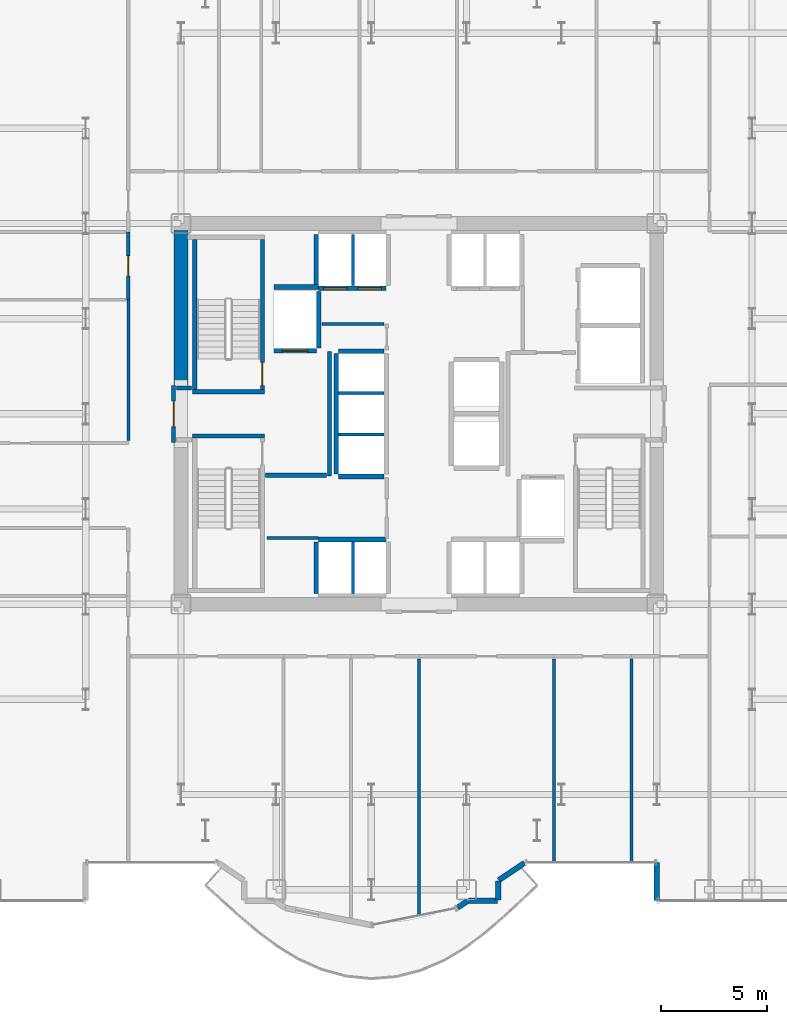
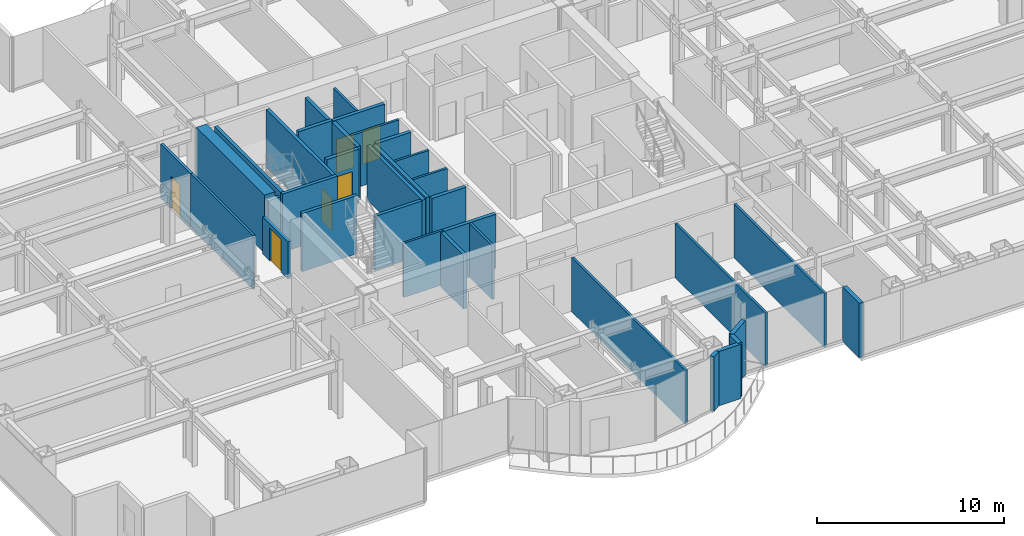
# One storey, part 23 of 29: 35 walls, 6 doors, 6 openings.
"""IFC4 building model written with IfcOpenShell, lengths in metres."""

from ifc_helpers import new_model, si_unit, direction, frame, frame_2d, origin, place, context, subcontext, project, spatial, rectangle, extrude, source, transform, mapped, material, layer, layer_set, type_object, element, fill, save


model = new_model("IFC4")

# Units and contexts
model_context = context("Model", 3, precision=1e-05, world=origin(), true_north=direction((0.0, 1.0)))
body_context = subcontext(model_context, "Body", "Model", "MODEL_VIEW")
ifc_project = project(units=[si_unit("LENGTHUNIT", "METRE"), si_unit("AREAUNIT", "SQUARE_METRE"), si_unit("VOLUMEUNIT", "CUBIC_METRE"), si_unit("PLANEANGLEUNIT", "RADIAN"), si_unit("MASSUNIT", "GRAM", prefix="KILO")], contexts=[model_context])

# Site, building, storey
site_placement = place(None, origin())
site = spatial("IfcSite", under=ifc_project, at=site_placement, CompositionType="ELEMENT")
building_placement = place(site_placement, origin())
building = spatial("IfcBuilding", under=site, at=building_placement, Name="Nefas-Gora Pilgrimage Tower", CompositionType="ELEMENT")
storey_placement = place(building_placement, frame((0.0, 0.0, 67.199951171875)))
storey = spatial("IfcBuildingStorey", under=building, at=storey_placement, Name="L15", CompositionType="ELEMENT", Elevation=67.199951171875)

# Walls
ifc_material_1 = material(Name="Concrete C60/75", Category="concrete")
ifc_layer_1 = layer(ifc_material_1, 0.64990234375)
ifc_layer_set_1 = layer_set([ifc_layer_1], Name="Concrete C60/75")
wall_type_1 = type_object("IfcWallType", Name="SW-CORE-650", PredefinedType="SHEAR", material=ifc_layer_set_1)
shared_shape_1 = source(origin(), body_context, "Body", "SweptSolid", [
    extrude(rectangle(XDim=7.324951171875, YDim=0.64990234375, at=frame_2d((3.66259765625, 0.0))), origin(), (0.0, 0.0, 1.0), 3.800048828125),
])
wall_1_placement = place(storey_placement, frame((-11.25, 1.35009765625, 0.0), z_axis=(0.0, 0.0, 1.0), x_axis=(0.0, 1.0, 0.0)))
element("IfcWall", 1, at=wall_1_placement, inside=storey, type_object=wall_type_1, Name="L15 Core Shear Wall W-North", PredefinedType="SHEAR", context=body_context, shape_type="MappedRepresentation", body=[
    mapped(shared_shape_1, transform((0.0, 0.0, 0.0), x_axis=(1.0, 0.0, 0.0), y_axis=(0.0, 1.0, 0.0), z_axis=(0.0, 0.0, 1.0), scale=1.0)),
])
ifc_material_2 = material(Name="Precast concrete C40/50", Category="concrete")
ifc_layer_2 = layer(ifc_material_2, 0.260009765625)
ifc_layer_set_2 = layer_set([ifc_layer_2], Name="Precast concrete C40/50")
wall_type_2 = type_object("IfcWallType", Name="EW-PORTAL-260", PredefinedType="SOLIDWALL", material=ifc_layer_set_2)
shared_shape_2 = source(origin(), body_context, "Body", "SweptSolid", [
    extrude(rectangle(XDim=1.800048828125, YDim=0.260009765625, at=frame_2d((0.89990234375, 0.0))), origin(), (0.0, 0.0, 1.0), 3.550048828125),
])
wall_2_placement = place(storey_placement, frame((11.25, -21.219970703125, 0.0), z_axis=(0.0, 0.0, 1.0), x_axis=(0.0, -1.0, 0.0)))
element("IfcWall", 2, at=wall_2_placement, inside=storey, type_object=wall_type_2, Name="L15 Lobe Shoulder Precast Spandrel Pier 5", PredefinedType="SOLIDWALL", context=body_context, shape_type="MappedRepresentation", body=[
    mapped(shared_shape_2, transform((0.0, 0.0, 0.0), x_axis=(1.0, 0.0, 0.0), y_axis=(0.0, 1.0, 0.0), z_axis=(0.0, 0.0, 1.0), scale=1.0)),
])
shared_shape_3 = source(origin(), body_context, "Body", "SweptSolid", [
    extrude(rectangle(XDim=1.468994140625, YDim=0.260009765625, at=frame_2d((0.734375, 0.0))), origin(), (0.0, 0.0, 1.0), 3.550048828125),
])
wall_3_placement = place(storey_placement, frame((3.773193359375, -22.0517578125, 0.0), z_axis=(0.0, 0.0, 1.0), x_axis=(0.831461760506, 0.555581983884, 0.0)))
element("IfcWall", 3, at=wall_3_placement, inside=storey, type_object=wall_type_2, Name="L15 Lobe Shoulder Precast Spandrel Pier 41", PredefinedType="SOLIDWALL", context=body_context, shape_type="MappedRepresentation", body=[
    mapped(shared_shape_3, transform((0.0, 0.0, 0.0), x_axis=(1.0, 0.0, 0.0), y_axis=(0.0, 1.0, 0.0), z_axis=(0.0, 0.0, 1.0), scale=1.0)),
])
shared_shape_4 = source(origin(), body_context, "Body", "SweptSolid", [
    extrude(rectangle(XDim=0.896728515625, YDim=0.260009765625, at=frame_2d((0.4482421875, 0.0))), origin(), (0.0, 0.0, 1.0), 3.550048828125),
])
wall_4_placement = place(storey_placement, frame((3.75, -22.991943359375, 0.0), z_axis=(0.0, 0.0, 1.0), x_axis=(0.0, 1.0, 0.0)))
element("IfcWall", 4, at=wall_4_placement, inside=storey, type_object=wall_type_2, Name="L15 Lobe Shoulder Precast Spandrel Pier 40", PredefinedType="SOLIDWALL", context=body_context, shape_type="MappedRepresentation", body=[
    mapped(shared_shape_4, transform((0.0, 0.0, 0.0), x_axis=(1.0, 0.0, 0.0), y_axis=(0.0, 1.0, 0.0), z_axis=(0.0, 0.0, 1.0), scale=1.0)),
])
shared_shape_5 = source(origin(), body_context, "Body", "SweptSolid", [
    extrude(rectangle(XDim=1.369873046875, YDim=0.260009765625, at=frame_2d((0.68505859375, 0.0))), origin(), (0.0, 0.0, 1.0), 3.550048828125),
])
wall_5_placement = place(storey_placement, frame((2.35205078125, -23.02001953125, 0.0), z_axis=(0.0, 0.0, 1.0), x_axis=(1.0, 0.0, 0.0)))
element("IfcWall", 5, at=wall_5_placement, inside=storey, type_object=wall_type_2, Name="L15 Lobe Shoulder Precast Spandrel Pier 39", PredefinedType="SOLIDWALL", context=body_context, shape_type="MappedRepresentation", body=[
    mapped(shared_shape_5, transform((0.0, 0.0, 0.0), x_axis=(1.0, 0.0, 0.0), y_axis=(0.0, 1.0, 0.0), z_axis=(0.0, 0.0, 1.0), scale=1.0)),
])
shared_shape_6 = source(origin(), body_context, "Body", "SweptSolid", [
    extrude(rectangle(XDim=0.5654296875, YDim=0.260009765625, at=frame_2d((0.28271484375, 0.0))), origin(), (0.0, 0.0, 1.0), 3.550048828125),
])
wall_6_placement = place(storey_placement, frame((1.83056640625, -23.349609375, 0.0), z_axis=(0.0, 0.0, 1.0), x_axis=(0.831651492666, 0.555297933317, 0.0)))
element("IfcWall", 6, at=wall_6_placement, inside=storey, type_object=wall_type_2, Name="L15 Lobe Shoulder Precast Spandrel Pier 38", PredefinedType="SOLIDWALL", context=body_context, shape_type="MappedRepresentation", body=[
    mapped(shared_shape_6, transform((0.0, 0.0, 0.0), x_axis=(1.0, 0.0, 0.0), y_axis=(0.0, 1.0, 0.0), z_axis=(0.0, 0.0, 1.0), scale=1.0)),
])
ifc_material_3 = material(Name="Concrete C45/55", Category="concrete")
ifc_layer_3 = layer(ifc_material_3, 0.199951171875)
ifc_layer_set_3 = layer_set([ifc_layer_3], Name="Concrete C45/55")
wall_type_3 = type_object("IfcWallType", Name="IW-STAIR-200", PredefinedType="SOLIDWALL", material=ifc_layer_set_3)
shared_shape_7 = source(origin(), body_context, "Body", "SweptSolid", [
    extrude(rectangle(XDim=3.39990234375, YDim=0.199951171875, at=frame_2d((1.699951171875, 0.0))), origin(), (0.0, 0.0, 1.0), 3.800048828125),
])
for number, where, z_axis, x_axis, name in (
    (7, (-7.300048828125, 1.050048828125, 0.0), (0.0, 0.0, 1.0), (-1.0, 0.0, 0.0), "L15 Stairwell Shear Wall ST-01-near"),
    (8, (-10.699951171875, -1.050048828125, 0.0), (0.0, 0.0, 1.0), (1.0, 0.0, 0.0), "L15 Stairwell Shear Wall ST-03-near"),
):
    element("IfcWall", number, at=place(storey_placement, frame(where, z_axis=z_axis, x_axis=x_axis)), inside=storey, type_object=wall_type_3, Name=name, PredefinedType="SOLIDWALL", context=body_context, shape_type="MappedRepresentation", body=[
        mapped(shared_shape_7, transform((0.0, 0.0, 0.0), x_axis=(1.0, 0.0, 0.0), y_axis=(0.0, 1.0, 0.0), z_axis=(0.0, 0.0, 1.0), scale=1.0)),
    ])

# Wall, opening, door
shared_shape_8 = source(origin(), body_context, "Body", "SweptSolid", [
    extrude(rectangle(XDim=7.10009765625, YDim=0.199951171875, at=frame_2d((3.550048828125, 0.0))), origin(), (0.0, 0.0, 1.0), 3.800048828125),
])
wall_7_placement = place(storey_placement, frame((-7.39990234375, 1.14990234375, 0.0), z_axis=(0.0, 0.0, 1.0), x_axis=(0.0, 1.0, 0.0)))
wall_7 = element("IfcWall", 9, at=wall_7_placement, inside=storey, type_object=wall_type_3, Name="L15 Stairwell Shear Wall ST-01-left", PredefinedType="SOLIDWALL", context=body_context, shape_type="MappedRepresentation", body=[
    mapped(shared_shape_8, transform((0.0, 0.0, 0.0), x_axis=(1.0, 0.0, 0.0), y_axis=(0.0, 1.0, 0.0), z_axis=(0.0, 0.0, 1.0), scale=1.0)),
])
opening_1_placement = place(wall_7_placement, frame((0.179931640625, 0.0, 0.0)))
opening_1 = element("IfcOpeningElement", 10, at=opening_1_placement, cuts=wall_7, Name="Opening ID-ST1", PredefinedType="OPENING", context=body_context, shape_type="SweptSolid", body=[
    extrude(rectangle(XDim=1.10009765625, YDim=2.14990234375, at=frame_2d((0.550048828125, 1.074951171875))), frame((0.0, 0.10986328125, 0.0), z_axis=(0.0, -1.0, 0.0), x_axis=(1.0, 0.0, 0.0)), (0.0, 0.0, 1.0), 0.219970703125),
])
ifc_material_4 = material(Name="Painted galvanised steel fire stair door", Category="steel")
door_type_1 = type_object("IfcDoorType", Name="DR-INT-STAIR-1100", OperationType="NOTDEFINED", PredefinedType="DOOR", material=ifc_material_4)
shared_shape_9 = source(origin(), body_context, "Body", "SweptSolid", [
    extrude(rectangle(XDim=1.10009765625, YDim=2.14990234375, at=frame_2d((0.550048828125, 1.074951171875))), frame((0.0, 0.02490234375, 0.0), z_axis=(0.0, -1.0, 0.0), x_axis=(1.0, 0.0, 0.0)), (0.0, 0.0, 1.0), 0.050048828125),
])
door_1_placement = place(opening_1_placement, origin())
door_1 = element("IfcDoor", 11, at=door_1_placement, inside=storey, type_object=door_type_1, Name="L15 Protected Exit Stair Door ST-01", OperationType="SINGLE_SWING_LEFT", OverallHeight=2.14990234375, OverallWidth=1.10009765625, PredefinedType="DOOR", context=body_context, shape_type="MappedRepresentation", body=[
    mapped(shared_shape_9, transform((0.0, 0.0, 0.0), x_axis=(1.0, 0.0, 0.0), y_axis=(0.0, 1.0, 0.0), z_axis=(0.0, 0.0, 1.0), scale=1.0)),
])
fill(opening_1, door_1)

# Wall
wall_8_placement = place(storey_placement, frame((-10.60009765625, 1.14990234375, 0.0), z_axis=(0.0, 0.0, 1.0), x_axis=(0.0, 1.0, 0.0)))
element("IfcWall", 12, at=wall_8_placement, inside=storey, type_object=wall_type_3, Name="L15 Stairwell Shear Wall ST-01-right", PredefinedType="SOLIDWALL", context=body_context, shape_type="MappedRepresentation", body=[
    mapped(shared_shape_8, transform((0.0, 0.0, 0.0), x_axis=(1.0, 0.0, 0.0), y_axis=(0.0, 1.0, 0.0), z_axis=(0.0, 0.0, 1.0), scale=1.0)),
])

# Wall, opening, door
ifc_material_5 = material(Name="Concrete C40/50", Category="concrete")
ifc_layer_4 = layer(ifc_material_5, 0.219970703125)
ifc_layer_set_4 = layer_set([ifc_layer_4], Name="Concrete C40/50")
wall_type_4 = type_object("IfcWallType", Name="IW-SHAFT-220", PredefinedType="SOLIDWALL", material=ifc_layer_set_4)
shared_shape_10 = source(origin(), body_context, "Body", "SweptSolid", [
    extrude(rectangle(XDim=2.0, YDim=0.219970703125, at=frame_2d((1.0, 0.0))), origin(), (0.0, 0.0, 1.0), 3.53515625),
])
wall_9_placement = place(storey_placement, frame((-6.85009765625, 2.989990234375, 0.0), z_axis=(0.0, 0.0, 1.0), x_axis=(1.0, 0.0, 0.0)))
wall_9 = element("IfcWall", 13, at=wall_9_placement, inside=storey, type_object=wall_type_4, Name="L15 Hoistway Wall FFL-01-S", PredefinedType="SOLIDWALL", context=body_context, shape_type="MappedRepresentation", body=[
    mapped(shared_shape_10, transform((0.0, 0.0, 0.0), x_axis=(1.0, 0.0, 0.0), y_axis=(0.0, 1.0, 0.0), z_axis=(0.0, 0.0, 1.0), scale=1.0)),
])
opening_2_placement = place(wall_9_placement, frame((0.39990234375, 0.0, 0.0)))
opening_2 = element("IfcOpeningElement", 14, at=opening_2_placement, cuts=wall_9, Name="Opening LD-FF", PredefinedType="OPENING", context=body_context, shape_type="SweptSolid", body=[
    extrude(rectangle(XDim=1.199951171875, YDim=2.199951171875, at=frame_2d((0.60009765625, 1.10009765625))), frame((0.0, 0.119873046875, 0.0), z_axis=(0.0, -1.0, 0.0), x_axis=(1.0, 0.0, 0.0)), (0.0, 0.0, 1.0), 0.239990234375),
])
ifc_material_6 = material(Name="Fire-service sliding lift landing door")
door_type_2 = type_object("IfcDoorType", Name="DR-LIFT-FSAE-1200", OperationType="SLIDING_TO_LEFT", PredefinedType="DOOR", material=ifc_material_6)
shared_shape_11 = source(origin(), body_context, "Body", "SweptSolid", [
    extrude(rectangle(XDim=1.199951171875, YDim=2.199951171875, at=frame_2d((0.60009765625, 1.10009765625))), frame((0.0, 0.02490234375, 0.0), z_axis=(0.0, -1.0, 0.0), x_axis=(1.0, 0.0, 0.0)), (0.0, 0.0, 1.0), 0.050048828125),
])
door_2_placement = place(opening_2_placement, origin())
door_2 = element("IfcDoor", 15, at=door_2_placement, inside=storey, type_object=door_type_2, Name="L15 Sliding Lift Landing Door FFL-01", OperationType="SLIDING_TO_LEFT", OverallHeight=2.199951171875, OverallWidth=1.199951171875, PredefinedType="DOOR", context=body_context, shape_type="MappedRepresentation", body=[
    mapped(shared_shape_11, transform((0.0, 0.0, 0.0), x_axis=(1.0, 0.0, 0.0), y_axis=(0.0, 1.0, 0.0), z_axis=(0.0, 0.0, 1.0), scale=1.0)),
])
fill(opening_2, door_2)

# Wall
shared_shape_12 = source(origin(), body_context, "Body", "SweptSolid", [
    extrude(rectangle(XDim=2.679931640625, YDim=0.219970703125, at=frame_2d((1.33984375, 0.0))), origin(), (0.0, 0.0, 1.0), 3.53515625),
])
wall_10_placement = place(storey_placement, frame((-4.739990234375, 3.110107421875, 0.0), z_axis=(0.0, 0.0, 1.0), x_axis=(0.0, 1.0, 0.0)))
element("IfcWall", 16, at=wall_10_placement, inside=storey, type_object=wall_type_4, Name="L15 Hoistway Wall FFL-01-E", PredefinedType="SOLIDWALL", context=body_context, shape_type="MappedRepresentation", body=[
    mapped(shared_shape_12, transform((0.0, 0.0, 0.0), x_axis=(1.0, 0.0, 0.0), y_axis=(0.0, 1.0, 0.0), z_axis=(0.0, 0.0, 1.0), scale=1.0)),
])

# Wall, openings, doors
shared_shape_13 = source(origin(), body_context, "Body", "SweptSolid", [
    extrude(rectangle(XDim=3.199951171875, YDim=0.219970703125, at=frame_2d((1.60009765625, 0.0))), origin(), (0.0, 0.0, 1.0), 3.53515625),
])
wall_11_placement = place(storey_placement, frame((-4.75, 5.93994140625, 0.0), z_axis=(0.0, 0.0, 1.0), x_axis=(1.0, 0.0, 0.0)))
wall_11 = element("IfcWall", 17, at=wall_11_placement, inside=storey, type_object=wall_type_4, Name="L15 Hoistway Wall PL1-W-S", PredefinedType="SOLIDWALL", context=body_context, shape_type="MappedRepresentation", body=[
    mapped(shared_shape_13, transform((0.0, 0.0, 0.0), x_axis=(1.0, 0.0, 0.0), y_axis=(0.0, 1.0, 0.0), z_axis=(0.0, 0.0, 1.0), scale=1.0)),
])
opening_3_placement = place(wall_11_placement, frame((0.25, 0.0, 0.0)))
opening_3 = element("IfcOpeningElement", 18, at=opening_3_placement, cuts=wall_11, Name="Opening LD-01", PredefinedType="OPENING", context=body_context, shape_type="SweptSolid", body=[
    extrude(rectangle(XDim=1.10009765625, YDim=2.199951171875, at=frame_2d((0.550048828125, 1.10009765625))), frame((0.0, 0.119873046875, 0.0), z_axis=(0.0, -1.0, 0.0), x_axis=(1.0, 0.0, 0.0)), (0.0, 0.0, 1.0), 0.239990234375),
])
opening_4_placement = place(wall_11_placement, frame((1.875, 0.0, 0.0)))
opening_4 = element("IfcOpeningElement", 19, at=opening_4_placement, cuts=wall_11, Name="Opening LD-01", PredefinedType="OPENING", context=body_context, shape_type="SweptSolid", body=[
    extrude(rectangle(XDim=1.10009765625, YDim=2.199951171875, at=frame_2d((0.550048828125, 1.10009765625))), frame((0.0, 0.119873046875, 0.0), z_axis=(0.0, -1.0, 0.0), x_axis=(1.0, 0.0, 0.0)), (0.0, 0.0, 1.0), 0.239990234375),
])
ifc_material_7 = material(Name="Brushed stainless sliding lift landing door")
door_type_3 = type_object("IfcDoorType", Name="DR-LIFT-PASS-1100", OperationType="DOUBLE_DOOR_SLIDING", PredefinedType="DOOR", material=ifc_material_7)
shared_shape_14 = source(origin(), body_context, "Body", "SweptSolid", [
    extrude(rectangle(XDim=1.10009765625, YDim=2.199951171875, at=frame_2d((0.550048828125, 1.10009765625))), frame((0.0, 0.02490234375, 0.0), z_axis=(0.0, -1.0, 0.0), x_axis=(1.0, 0.0, 0.0)), (0.0, 0.0, 1.0), 0.050048828125),
])
door_3_placement = place(opening_3_placement, origin())
door_3 = element("IfcDoor", 20, at=door_3_placement, inside=storey, type_object=door_type_3, Name="L15 Sliding Lift Landing Door PL1-01", OperationType="DOUBLE_DOOR_SLIDING", OverallHeight=2.199951171875, OverallWidth=1.10009765625, PredefinedType="DOOR", context=body_context, shape_type="MappedRepresentation", body=[
    mapped(shared_shape_14, transform((0.0, 0.0, 0.0), x_axis=(1.0, 0.0, 0.0), y_axis=(0.0, 1.0, 0.0), z_axis=(0.0, 0.0, 1.0), scale=1.0)),
])
fill(opening_3, door_3)
door_4_placement = place(opening_4_placement, origin())
door_4 = element("IfcDoor", 21, at=door_4_placement, inside=storey, type_object=door_type_3, Name="L15 Sliding Lift Landing Door PL1-02", OperationType="DOUBLE_DOOR_SLIDING", OverallHeight=2.199951171875, OverallWidth=1.10009765625, PredefinedType="DOOR", context=body_context, shape_type="MappedRepresentation", body=[
    mapped(shared_shape_14, transform((0.0, 0.0, 0.0), x_axis=(1.0, 0.0, 0.0), y_axis=(0.0, 1.0, 0.0), z_axis=(0.0, 0.0, 1.0), scale=1.0)),
])
fill(opening_4, door_4)

# Walls
wall_12_placement = place(storey_placement, frame((-1.550048828125, -5.93994140625, 0.0), z_axis=(0.0, 0.0, 1.0), x_axis=(-1.0, 0.0, 0.0)))
element("IfcWall", 22, at=wall_12_placement, inside=storey, type_object=wall_type_4, Name="L15 Hoistway Wall PL2-W-N", PredefinedType="SOLIDWALL", context=body_context, shape_type="MappedRepresentation", body=[
    mapped(shared_shape_13, transform((0.0, 0.0, 0.0), x_axis=(1.0, 0.0, 0.0), y_axis=(0.0, 1.0, 0.0), z_axis=(0.0, 0.0, 1.0), scale=1.0)),
])
shared_shape_15 = source(origin(), body_context, "Body", "SweptSolid", [
    extrude(rectangle(XDim=2.429931640625, YDim=0.219970703125, at=frame_2d((1.21484375, 0.0))), origin(), (0.0, 0.0, 1.0), 3.53515625),
])
for number, where, z_axis, x_axis, name in (
    (23, (-4.860107421875, 8.489990234375, 0.0), (0.0, 0.0, 1.0), (0.0, -1.0, 0.0), "L15 Hoistway Wall PL1-W-W"),
    (24, (-4.860107421875, -6.06005859375, 0.0), (0.0, 0.0, 1.0), (0.0, -1.0, 0.0), "L15 Hoistway Wall PL2-W-W"),
):
    element("IfcWall", number, at=place(storey_placement, frame(where, z_axis=z_axis, x_axis=x_axis)), inside=storey, type_object=wall_type_4, Name=name, PredefinedType="SOLIDWALL", context=body_context, shape_type="MappedRepresentation", body=[
        mapped(shared_shape_15, transform((0.0, 0.0, 0.0), x_axis=(1.0, 0.0, 0.0), y_axis=(0.0, 1.0, 0.0), z_axis=(0.0, 0.0, 1.0), scale=1.0)),
    ])
ifc_material_8 = material(Name="Gypsum twin-stud partition")
ifc_layer_5 = layer(ifc_material_8, 0.139892578125)
ifc_layer_set_5 = layer_set([ifc_layer_5], Name="Gypsum twin-stud partition")
wall_type_5 = type_object("IfcWallType", Name="IW-UNIT-140", PredefinedType="PARTITIONING", material=ifc_layer_set_5)
shared_shape_16 = source(origin(), body_context, "Body", "SweptSolid", [
    extrude(rectangle(XDim=2.429931640625, YDim=0.139892578125, at=frame_2d((1.21484375, 0.0))), origin(), (0.0, 0.0, 1.0), 3.53515625),
])
for number, where, z_axis, x_axis, name in (
    (25, (-3.125, 6.06005859375, 0.0), (0.0, 0.0, 1.0), (0.0, 1.0, 0.0), "L15 Hoistway Wall PL1-W-DIV"),
    (26, (-3.125, -8.489990234375, 0.0), (0.0, 0.0, 1.0), (0.0, 1.0, 0.0), "L15 Hoistway Wall PL2-W-DIV"),
):
    element("IfcWall", number, at=place(storey_placement, frame(where, z_axis=z_axis, x_axis=x_axis)), inside=storey, type_object=wall_type_5, Name=name, PredefinedType="PARTITIONING", context=body_context, shape_type="MappedRepresentation", body=[
        mapped(shared_shape_16, transform((0.0, 0.0, 0.0), x_axis=(1.0, 0.0, 0.0), y_axis=(0.0, 1.0, 0.0), z_axis=(0.0, 0.0, 1.0), scale=1.0)),
    ])
shared_shape_17 = source(origin(), body_context, "Body", "SweptSolid", [
    extrude(rectangle(XDim=5.7001953125, YDim=0.219970703125, at=frame_2d((2.85009765625, 0.0))), origin(), (0.0, 0.0, 1.0), 3.53515625),
])
wall_13_placement = place(storey_placement, frame((-3.909912109375, 2.85009765625, 0.0), z_axis=(0.0, 0.0, 1.0), x_axis=(0.0, -1.0, 0.0)))
element("IfcWall", 27, at=wall_13_placement, inside=storey, type_object=wall_type_4, Name="L15 Hoistway Wall PL3-01-03-W", PredefinedType="SOLIDWALL", context=body_context, shape_type="MappedRepresentation", body=[
    mapped(shared_shape_17, transform((0.0, 0.0, 0.0), x_axis=(1.0, 0.0, 0.0), y_axis=(0.0, 1.0, 0.0), z_axis=(0.0, 0.0, 1.0), scale=1.0)),
])
shared_shape_18 = source(origin(), body_context, "Body", "SweptSolid", [
    extrude(rectangle(XDim=2.130126953125, YDim=0.219970703125, at=frame_2d((1.06494140625, 0.0))), origin(), (0.0, 0.0, 1.0), 3.53515625),
])
for number, where, z_axis, x_axis, name in (
    (28, (-3.7900390625, -2.9599609375, 0.0), (0.0, 0.0, 1.0), (1.0, 0.0, 0.0), "L15 Hoistway Wall PL3-01-S"),
    (29, (-1.659912109375, 2.9599609375, 0.0), (0.0, 0.0, 1.0), (-1.0, 0.0, 0.0), "L15 Hoistway Wall PL3-03-N"),
):
    element("IfcWall", number, at=place(storey_placement, frame(where, z_axis=z_axis, x_axis=x_axis)), inside=storey, type_object=wall_type_4, Name=name, PredefinedType="SOLIDWALL", context=body_context, shape_type="MappedRepresentation", body=[
        mapped(shared_shape_18, transform((0.0, 0.0, 0.0), x_axis=(1.0, 0.0, 0.0), y_axis=(0.0, 1.0, 0.0), z_axis=(0.0, 0.0, 1.0), scale=1.0)),
    ])
shared_shape_19 = source(origin(), body_context, "Body", "SweptSolid", [
    extrude(rectangle(XDim=2.130126953125, YDim=0.139892578125, at=frame_2d((1.06494140625, 0.0))), origin(), (0.0, 0.0, 1.0), 3.53515625),
])
for number, where, z_axis, x_axis, name in (
    (30, (-3.7900390625, -0.97509765625, 0.0), (0.0, 0.0, 1.0), (1.0, 0.0, 0.0), "L15 Hoistway Wall PL3-01-02-DIV"),
    (31, (-3.7900390625, 0.97509765625, 0.0), (0.0, 0.0, 1.0), (1.0, 0.0, 0.0), "L15 Hoistway Wall PL3-02-03-DIV"),
):
    element("IfcWall", number, at=place(storey_placement, frame(where, z_axis=z_axis, x_axis=x_axis)), inside=storey, type_object=wall_type_5, Name=name, PredefinedType="PARTITIONING", context=body_context, shape_type="MappedRepresentation", body=[
        mapped(shared_shape_19, transform((0.0, 0.0, 0.0), x_axis=(1.0, 0.0, 0.0), y_axis=(0.0, 1.0, 0.0), z_axis=(0.0, 0.0, 1.0), scale=1.0)),
    ])

# Wall, opening, door
ifc_material_9 = material(Name="Gypsum fire-rated shaftwall")
ifc_layer_6 = layer(ifc_material_9, 0.199951171875)
ifc_layer_set_6 = layer_set([ifc_layer_6], Name="Gypsum fire-rated shaftwall")
wall_type_6 = type_object("IfcWallType", Name="IW-FFLOB-200", PredefinedType="PARTITIONING", material=ifc_layer_set_6)
shared_shape_20 = source(origin(), body_context, "Body", "SweptSolid", [
    extrude(rectangle(XDim=2.7001953125, YDim=0.199951171875, at=frame_2d((1.35009765625, 0.0))), origin(), (0.0, 0.0, 1.0), 2.425048828125),
])
wall_14_placement = place(storey_placement, frame((-11.60009765625, -1.35009765625, 0.0), z_axis=(0.0, 0.0, 1.0), x_axis=(0.0, 1.0, 0.0)))
wall_14 = element("IfcWall", 32, at=wall_14_placement, inside=storey, type_object=wall_type_6, Name="L15 FF Lobby West Portal Wall 3", PredefinedType="PARTITIONING", context=body_context, shape_type="MappedRepresentation", body=[
    mapped(shared_shape_20, transform((0.0, 0.0, 0.0), x_axis=(1.0, 0.0, 0.0), y_axis=(0.0, 1.0, 0.0), z_axis=(0.0, 0.0, 1.0), scale=1.0)),
])
opening_5_placement = place(wall_14_placement, frame((0.75, 0.0, 0.0)))
opening_5 = element("IfcOpeningElement", 33, at=opening_5_placement, cuts=wall_14, Name="Opening ID-FF1", PredefinedType="OPENING", context=body_context, shape_type="SweptSolid", body=[
    extrude(rectangle(XDim=1.199951171875, YDim=2.14990234375, at=frame_2d((0.60009765625, 1.074951171875))), frame((0.0, 0.10986328125, 0.0), z_axis=(0.0, -1.0, 0.0), x_axis=(1.0, 0.0, 0.0)), (0.0, 0.0, 1.0), 0.219970703125),
])
ifc_material_10 = material(Name="Smoke-sealed steel firefighting lobby door", Category="steel")
door_type_4 = type_object("IfcDoorType", Name="DR-INT-FFLOB-1200", OperationType="NOTDEFINED", PredefinedType="DOOR", material=ifc_material_10)
shared_shape_21 = source(origin(), body_context, "Body", "SweptSolid", [
    extrude(rectangle(XDim=1.199951171875, YDim=2.14990234375, at=frame_2d((0.60009765625, 1.074951171875))), frame((0.0, 0.02490234375, 0.0), z_axis=(0.0, -1.0, 0.0), x_axis=(1.0, 0.0, 0.0)), (0.0, 0.0, 1.0), 0.050048828125),
])
door_5_placement = place(opening_5_placement, origin())
door_5 = element("IfcDoor", 34, at=door_5_placement, inside=storey, type_object=door_type_4, Name="L15 FF Lobby West Portal Door 1", OperationType="SINGLE_SWING_LEFT", OverallHeight=2.14990234375, OverallWidth=1.199951171875, PredefinedType="DOOR", context=body_context, shape_type="MappedRepresentation", body=[
    mapped(shared_shape_21, transform((0.0, 0.0, 0.0), x_axis=(1.0, 0.0, 0.0), y_axis=(0.0, 1.0, 0.0), z_axis=(0.0, 0.0, 1.0), scale=1.0)),
])
fill(opening_5, door_5)

# Walls
shared_shape_22 = source(origin(), body_context, "Body", "SweptSolid", [
    extrude(rectangle(XDim=2.09521484375, YDim=0.219970703125, at=frame_2d((1.047607421875, 0.0))), origin(), (0.0, 0.0, 1.0), 3.53515625),
])
wall_15_placement = place(storey_placement, frame((-6.85009765625, 6.0, 0.0), z_axis=(0.0, 0.0, 1.0), x_axis=(1.0, 0.0, 0.0)))
element("IfcWall", 35, at=wall_15_placement, inside=storey, type_object=wall_type_4, Name="L15 Riser Shaft Wall 1", PredefinedType="SOLIDWALL", context=body_context, shape_type="MappedRepresentation", body=[
    mapped(shared_shape_22, transform((0.0, 0.0, 0.0), x_axis=(1.0, 0.0, 0.0), y_axis=(0.0, 1.0, 0.0), z_axis=(0.0, 0.0, 1.0), scale=1.0)),
])
shared_shape_23 = source(origin(), body_context, "Body", "SweptSolid", [
    extrude(rectangle(XDim=5.89990234375, YDim=0.199951171875, at=frame_2d((2.949951171875, 0.0))), origin(), (0.0, 0.0, 1.0), 3.53515625),
])
wall_16_placement = place(storey_placement, frame((-4.219970703125, -2.949951171875, 0.0), z_axis=(0.0, 0.0, 1.0), x_axis=(0.0, 1.0, 0.0)))
element("IfcWall", 36, at=wall_16_placement, inside=storey, type_object=wall_type_6, Name="L15 FF Lobby West Inner Wall Wall 4", PredefinedType="PARTITIONING", context=body_context, shape_type="MappedRepresentation", body=[
    mapped(shared_shape_23, transform((0.0, 0.0, 0.0), x_axis=(1.0, 0.0, 0.0), y_axis=(0.0, 1.0, 0.0), z_axis=(0.0, 0.0, 1.0), scale=1.0)),
])
shared_shape_24 = source(origin(), body_context, "Body", "SweptSolid", [
    extrude(rectangle(XDim=2.89990234375, YDim=0.199951171875, at=frame_2d((1.449951171875, 0.0))), origin(), (0.0, 0.0, 1.0), 3.53515625),
])
wall_17_placement = place(storey_placement, frame((-7.260009765625, -2.89990234375, 0.0), z_axis=(0.0, 0.0, 1.0), x_axis=(1.0, 0.0, 0.0)))
element("IfcWall", 37, at=wall_17_placement, inside=storey, type_object=wall_type_6, Name="L15 FF Lobby West South Wall Wall 5", PredefinedType="PARTITIONING", context=body_context, shape_type="MappedRepresentation", body=[
    mapped(shared_shape_24, transform((0.0, 0.0, 0.0), x_axis=(1.0, 0.0, 0.0), y_axis=(0.0, 1.0, 0.0), z_axis=(0.0, 0.0, 1.0), scale=1.0)),
])
shared_shape_25 = source(origin(), body_context, "Body", "SweptSolid", [
    extrude(rectangle(XDim=0.719970703125, YDim=0.199951171875, at=frame_2d((0.35986328125, 0.0))), origin(), (0.0, 0.0, 1.0), 3.53515625),
])
wall_18_placement = place(storey_placement, frame((-11.4599609375, 1.219970703125, 0.0), z_axis=(0.0, 0.0, 1.0), x_axis=(1.0, 0.0, 0.0)))
element("IfcWall", 38, at=wall_18_placement, inside=storey, type_object=wall_type_6, Name="L15 FF Lobby West Throat N Wall 6", PredefinedType="PARTITIONING", context=body_context, shape_type="MappedRepresentation", body=[
    mapped(shared_shape_25, transform((0.0, 0.0, 0.0), x_axis=(1.0, 0.0, 0.0), y_axis=(0.0, 1.0, 0.0), z_axis=(0.0, 0.0, 1.0), scale=1.0)),
])
shared_shape_26 = source(origin(), body_context, "Body", "SweptSolid", [
    extrude(rectangle(XDim=2.9501953125, YDim=0.139892578125, at=frame_2d((1.47509765625, 0.0))), origin(), (0.0, 0.0, 1.0), 3.53515625),
])
wall_19_placement = place(storey_placement, frame((-4.590087890625, 4.25, 0.0), z_axis=(0.0, 0.0, 1.0), x_axis=(1.0, 0.0, 0.0)))
element("IfcWall", 39, at=wall_19_placement, inside=storey, type_object=wall_type_5, Name="L15 Housekeeping and Linen Store Partition Wall 17", PredefinedType="PARTITIONING", context=body_context, shape_type="MappedRepresentation", body=[
    mapped(shared_shape_26, transform((0.0, 0.0, 0.0), x_axis=(1.0, 0.0, 0.0), y_axis=(0.0, 1.0, 0.0), z_axis=(0.0, 0.0, 1.0), scale=1.0)),
])
shared_shape_27 = source(origin(), body_context, "Body", "SweptSolid", [
    extrude(rectangle(XDim=9.64990234375, YDim=0.139892578125, at=frame_2d((4.824951171875, 0.0))), origin(), (0.0, 0.0, 1.0), 3.53515625),
])
for number, where, z_axis, x_axis, name in (
    (40, (6.39501953125, -21.239990234375, 0.0), (0.0, 0.0, 1.0), (0.0, 1.0, 0.0), "L15 Pilgrim Contemplative Lounge Partition Wall 53"),
    (41, (10.050048828125, -21.239990234375, 0.0), (0.0, 0.0, 1.0), (0.0, 1.0, 0.0), "L15 Pilgrim Contemplative Lounge Partition Wall 58"),
):
    element("IfcWall", number, at=place(storey_placement, frame(where, z_axis=z_axis, x_axis=x_axis)), inside=storey, type_object=wall_type_5, Name=name, PredefinedType="PARTITIONING", context=body_context, shape_type="MappedRepresentation", body=[
        mapped(shared_shape_27, transform((0.0, 0.0, 0.0), x_axis=(1.0, 0.0, 0.0), y_axis=(0.0, 1.0, 0.0), z_axis=(0.0, 0.0, 1.0), scale=1.0)),
    ])
shared_shape_28 = source(origin(), body_context, "Body", "SweptSolid", [
    extrude(rectangle(XDim=2.43505859375, YDim=0.139892578125, at=frame_2d((1.217529296875, 0.0))), origin(), (0.0, 0.0, 1.0), 3.53515625),
])
wall_20_placement = place(storey_placement, frame((-7.18994140625, -5.8798828125, 0.0), z_axis=(0.0, 0.0, 1.0), x_axis=(1.0, 0.0, 0.0)))
element("IfcWall", 42, at=wall_20_placement, inside=storey, type_object=wall_type_5, Name="L15 Pilgrim Baggage and Gear Vault Partition Wall 19", PredefinedType="PARTITIONING", context=body_context, shape_type="MappedRepresentation", body=[
    mapped(shared_shape_28, transform((0.0, 0.0, 0.0), x_axis=(1.0, 0.0, 0.0), y_axis=(0.0, 1.0, 0.0), z_axis=(0.0, 0.0, 1.0), scale=1.0)),
])

# Wall, opening, door
ifc_material_11 = material(Name="Gypsum acoustic stud partition")
ifc_layer_7 = layer(ifc_material_11, 0.159912109375)
ifc_layer_set_7 = layer_set([ifc_layer_7], Name="Gypsum acoustic stud partition")
wall_type_7 = type_object("IfcWallType", Name="IW-CORR-160", PredefinedType="PARTITIONING", material=ifc_layer_set_7)
shared_shape_29 = source(origin(), body_context, "Body", "SweptSolid", [
    extrude(rectangle(XDim=3.2099609375, YDim=0.159912109375, at=frame_2d((1.60498046875, 0.0))), origin(), (0.0, 0.0, 1.0), 3.53515625),
])
wall_21_placement = place(storey_placement, frame((-13.739990234375, 5.39501953125, 0.0), z_axis=(0.0, 0.0, 1.0), x_axis=(0.0, 1.0, 0.0)))
wall_21 = element("IfcWall", 43, at=wall_21_placement, inside=storey, type_object=wall_type_7, Name="L15 Pilgrim Fellowship Seminar Room Partition Wall 31", PredefinedType="PARTITIONING", context=body_context, shape_type="MappedRepresentation", body=[
    mapped(shared_shape_29, transform((0.0, 0.0, 0.0), x_axis=(1.0, 0.0, 0.0), y_axis=(0.0, 1.0, 0.0), z_axis=(0.0, 0.0, 1.0), scale=1.0)),
])
opening_6_placement = place(wall_21_placement, frame((1.1298828125, 0.0, 0.0)))
opening_6 = element("IfcOpeningElement", 44, at=opening_6_placement, cuts=wall_21, Name="Opening ID-GR1", PredefinedType="OPENING", context=body_context, shape_type="SweptSolid", body=[
    extrude(rectangle(XDim=0.949951171875, YDim=2.10009765625, at=frame_2d((0.47509765625, 1.050048828125))), frame((0.0, 0.08984375, 0.0), z_axis=(0.0, -1.0, 0.0), x_axis=(1.0, 0.0, 0.0)), (0.0, 0.0, 1.0), 0.179931640625),
])
ifc_material_12 = material(Name="Solid core oak fire-rated guest entrance door")
door_type_5 = type_object("IfcDoorType", Name="DR-INT-GUEST-950", OperationType="NOTDEFINED", PredefinedType="DOOR", material=ifc_material_12)
shared_shape_30 = source(origin(), body_context, "Body", "SweptSolid", [
    extrude(rectangle(XDim=0.949951171875, YDim=2.10009765625, at=frame_2d((0.47509765625, 1.050048828125))), frame((0.0, 0.02490234375, 0.0), z_axis=(0.0, -1.0, 0.0), x_axis=(1.0, 0.0, 0.0)), (0.0, 0.0, 1.0), 0.050048828125),
])
door_6_placement = place(opening_6_placement, origin())
door_6 = element("IfcDoor", 45, at=door_6_placement, inside=storey, type_object=door_type_5, Name="L15 Pilgrim Fellowship Seminar Room Door 13", OperationType="SINGLE_SWING_LEFT", OverallHeight=2.10009765625, OverallWidth=0.949951171875, PredefinedType="DOOR", context=body_context, shape_type="MappedRepresentation", body=[
    mapped(shared_shape_30, transform((0.0, 0.0, 0.0), x_axis=(1.0, 0.0, 0.0), y_axis=(0.0, 1.0, 0.0), z_axis=(0.0, 0.0, 1.0), scale=1.0)),
])
fill(opening_6, door_6)

# Walls
shared_shape_31 = source(origin(), body_context, "Body", "SweptSolid", [
    extrude(rectangle(XDim=6.6650390625, YDim=0.139892578125, at=frame_2d((3.33251953125, 0.0))), origin(), (0.0, 0.0, 1.0), 3.53515625),
])
wall_22_placement = place(storey_placement, frame((-13.739990234375, -1.260009765625, 0.0), z_axis=(0.0, 0.0, 1.0), x_axis=(0.0, 1.0, 0.0)))
element("IfcWall", 46, at=wall_22_placement, inside=storey, type_object=wall_type_5, Name="L15 Pilgrim Floor Concierge Foyer Partition Wall 28", PredefinedType="PARTITIONING", context=body_context, shape_type="MappedRepresentation", body=[
    mapped(shared_shape_31, transform((0.0, 0.0, 0.0), x_axis=(1.0, 0.0, 0.0), y_axis=(0.0, 1.0, 0.0), z_axis=(0.0, 0.0, 1.0), scale=1.0)),
])
shared_shape_32 = source(origin(), body_context, "Body", "SweptSolid", [
    extrude(rectangle(XDim=12.1572265625, YDim=0.139892578125, at=frame_2d((6.07861328125, 0.0))), origin(), (0.0, 0.0, 1.0), 3.53515625),
])
wall_23_placement = place(storey_placement, frame((0.010009765625, -23.747314453125, 0.0), z_axis=(0.0, 0.0, 1.0), x_axis=(0.0, 1.0, 0.0)))
element("IfcWall", 47, at=wall_23_placement, inside=storey, type_object=wall_type_5, Name="L15 Pilgrim Contemplative Lounge Partition Wall 52", PredefinedType="PARTITIONING", context=body_context, shape_type="MappedRepresentation", body=[
    mapped(shared_shape_32, transform((0.0, 0.0, 0.0), x_axis=(1.0, 0.0, 0.0), y_axis=(0.0, 1.0, 0.0), z_axis=(0.0, 0.0, 1.0), scale=1.0)),
])

save(model, "model.ifc")
